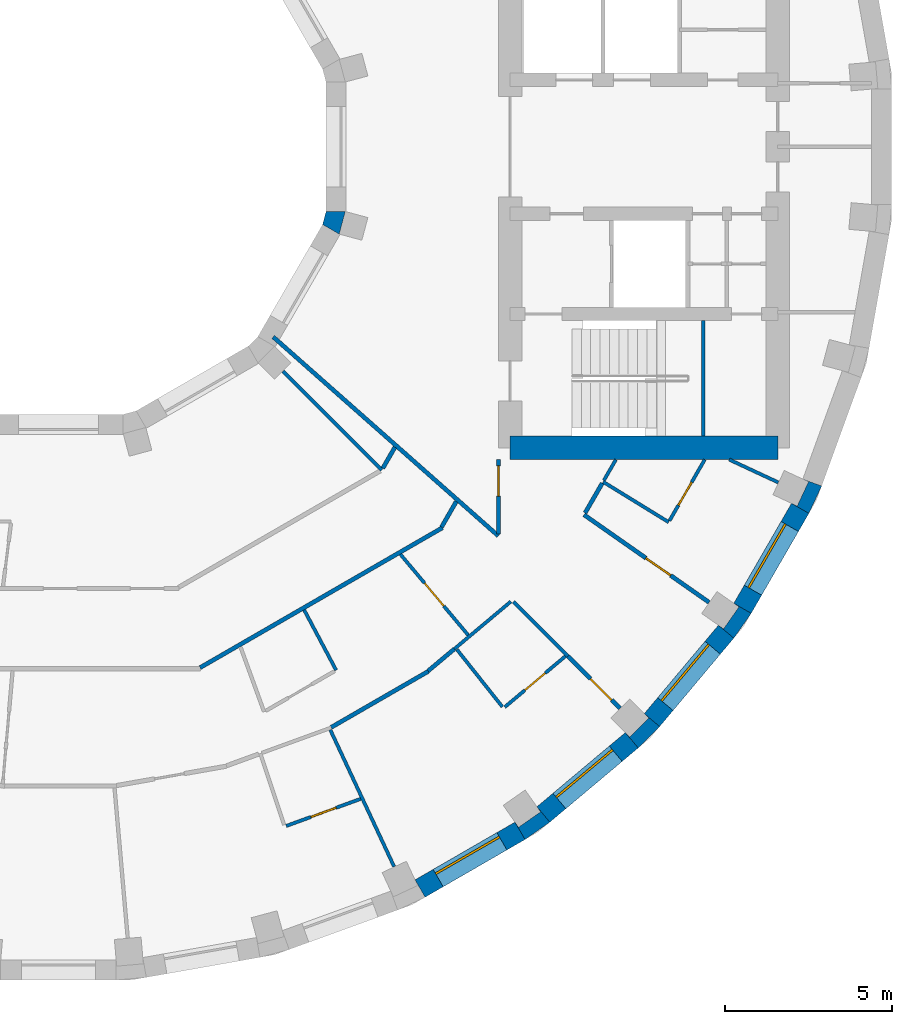
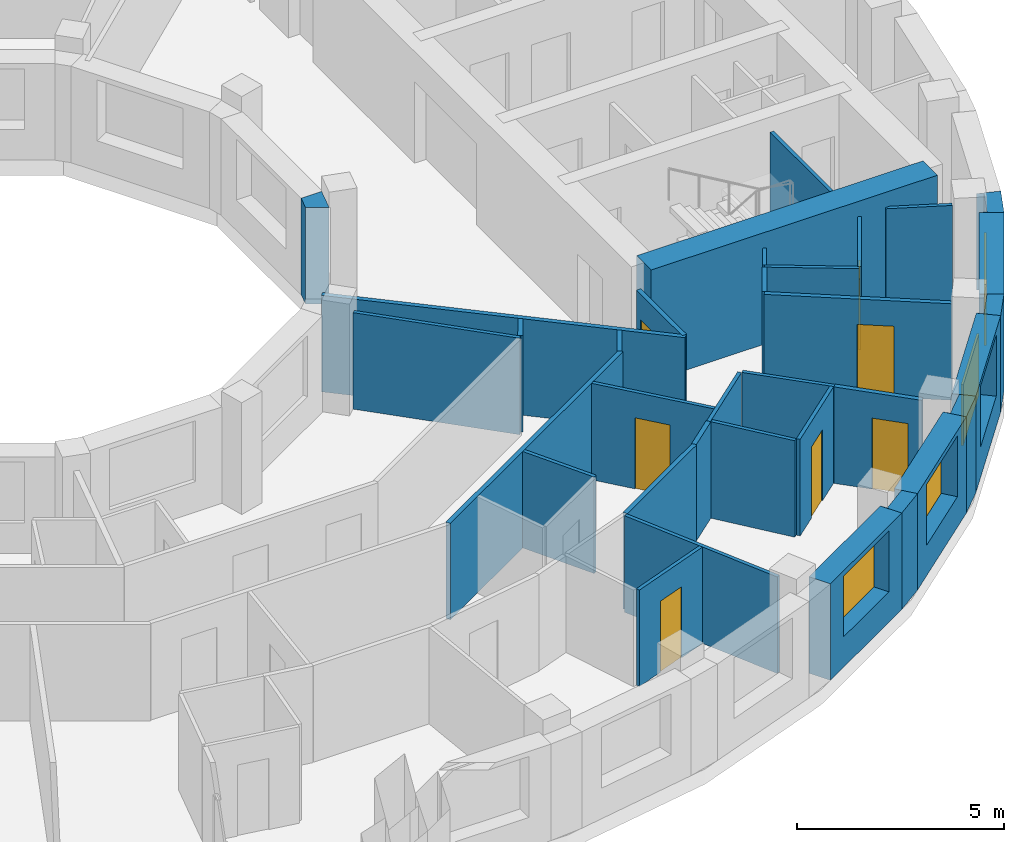
# One storey, part 7 of 13: 34 walls, 7 doors, 4 windows, 11 openings.
"""IFC4 building model written with IfcOpenShell, lengths in metres."""

import ifcopenshell
import ifcopenshell.guid

model = None  # the IFC model being written
_history = None  # IfcOwnerHistory: only IFC2X3 demands one
_inside = {}  # id of a spatial element -> (the spatial element, [elements in it])
_under = {}  # id of a project, library or spatial element -> (it, [spatial elements below it])
_declared = {}  # id of a project -> (the project, [libraries it declares])
_typed = {}  # id of a type object -> (the type object, [elements of that type])
_made_of = {}  # id of a material, layer set ... -> (it, [elements and type objects made of it])


def new_model(schema):
    """Start an empty IFC model of exactly this schema.

    Asked for "IFC4X3", IfcOpenShell would pick the latest addendum, in which some entities
    have other attributes; the version numbers below select the first issue.
    IFC2X3 requires an IfcOwnerHistory on every rooted entity: one is made here for all.
    """
    global model, _history
    if schema == "IFC4X3":
        model = ifcopenshell.file(schema_version=(4, 3, 0, 0))
    else:
        model = ifcopenshell.file(schema=schema)
    _inside.clear()
    _under.clear()
    _declared.clear()
    _typed.clear()
    _made_of.clear()
    _history = None
    if model.schema == "IFC2X3":
        org = make("IfcOrganization", Name="unknown")
        user = make(
            "IfcPersonAndOrganization",
            ThePerson=make("IfcPerson", FamilyName="unknown"),
            TheOrganization=org,
        )
        app = make(
            "IfcApplication",
            ApplicationDeveloper=org,
            Version="unknown",
            ApplicationFullName="unknown",
            ApplicationIdentifier="unknown",
        )
        _history = make(
            "IfcOwnerHistory",
            OwningUser=user,
            OwningApplication=app,
            ChangeAction="ADDED",
            CreationDate=0,
        )
    return model


def make(cls, **values):
    """One entity of the class cls with the attributes given. An attribute that is None is left unset."""
    return model.create_entity(
        cls, **{name: value for name, value in values.items() if value is not None}
    )


def rooted(cls, **values):
    """An entity with a GlobalId (a new one), such as an element, a storey or a relation."""
    return make(cls, GlobalId=ifcopenshell.guid.new(), OwnerHistory=_history, **values)


def si_unit(unit_type, name, prefix=None):
    """IfcSIUnit, for example si_unit("LENGTHUNIT", "METRE", prefix="MILLI")."""
    return make("IfcSIUnit", UnitType=unit_type, Prefix=prefix, Name=name)


def assignment(units):
    """IfcUnitAssignment: the units of a project."""
    return None if units is None else make("IfcUnitAssignment", Units=units)


def point(xyz):
    """IfcCartesianPoint."""
    return None if xyz is None else make("IfcCartesianPoint", Coordinates=xyz)


def direction(xyz):
    """IfcDirection."""
    return None if xyz is None else make("IfcDirection", DirectionRatios=xyz)


def frame(location, z_axis=None, x_axis=None):
    """IfcAxis2Placement3D, a coordinate frame: its origin and axes. An axis left out is left unset."""
    return make(
        "IfcAxis2Placement3D",
        Location=point(location),
        Axis=direction(z_axis),
        RefDirection=direction(x_axis),
    )


def frame_2d(location, x_axis=None):
    """IfcAxis2Placement2D, a coordinate frame in the plane: its origin and x axis."""
    return make(
        "IfcAxis2Placement2D", Location=point(location), RefDirection=direction(x_axis)
    )


def origin():
    """The frame at (0, 0, 0) with its axes left unset."""
    return frame((0.0, 0.0, 0.0))


def place(relative_to, where):
    """IfcLocalPlacement: puts the frame where relative to a parent placement (None: the world)."""
    return make(
        "IfcLocalPlacement", PlacementRelTo=relative_to, RelativePlacement=where
    )


def context(
    kind, dimensions, precision=None, world=None, true_north=None, identifier=None
):
    """IfcGeometricRepresentationContext, for example the 3D "Model" context."""
    return make(
        "IfcGeometricRepresentationContext",
        ContextIdentifier=identifier,
        ContextType=kind,
        CoordinateSpaceDimension=dimensions,
        Precision=precision,
        WorldCoordinateSystem=world,
        TrueNorth=true_north,
    )


def subcontext(parent, identifier, kind, view, scale=None):
    """IfcGeometricRepresentationSubContext, for example "Body" below "Model"."""
    return make(
        "IfcGeometricRepresentationSubContext",
        ContextIdentifier=identifier,
        ContextType=kind,
        ParentContext=parent,
        TargetScale=scale,
        TargetView=view,
    )


def project(units=None, contexts=None):
    """IfcProject with its units and contexts."""
    return rooted(
        "IfcProject",
        Name="project",
        RepresentationContexts=contexts,
        UnitsInContext=assignment(units),
    )


def spatial(cls, under=None, at=None, **own):
    """A site, building, storey or space (cls), placed at a placement, below another one or the project."""
    s = rooted(cls, ObjectPlacement=at, **own)
    if under is not None:
        _under.setdefault(under.id(), (under, []))[1].append(s)
    return s


def polyline(points):
    """IfcPolyline through the points."""
    return make("IfcPolyline", Points=[point(p) for p in points])


def profile(cls, at=None, kind="AREA", **sizes):
    """A parametric profile (cls). Its sizes go by their IFC names, for example OverallWidth=200.0."""
    return make(cls, ProfileType=kind, Position=at, **sizes)


def rectangle(**sizes):
    """IfcRectangleProfileDef."""
    return profile("IfcRectangleProfileDef", **sizes)


def outline(outer, holes=None, kind="AREA"):
    """IfcArbitraryClosedProfileDef: a profile drawn as a closed curve; with holes, ...WithVoids."""
    if holes is None:
        return make("IfcArbitraryClosedProfileDef", ProfileType=kind, OuterCurve=outer)
    return make(
        "IfcArbitraryProfileDefWithVoids",
        ProfileType=kind,
        OuterCurve=outer,
        InnerCurves=holes,
    )


def extrude(swept, where, along, depth):
    """IfcExtrudedAreaSolid: the profile swept, set in the frame where, extruded along a direction by depth."""
    return make(
        "IfcExtrudedAreaSolid",
        SweptArea=swept,
        Position=where,
        ExtrudedDirection=direction(along),
        Depth=depth,
    )


def shape(context_of_items, identifier, shape_type, items):
    """IfcShapeRepresentation: the items that make up one representation, for example the "Body"."""
    return make(
        "IfcShapeRepresentation",
        ContextOfItems=context_of_items,
        RepresentationIdentifier=identifier,
        RepresentationType=shape_type,
        Items=items,
    )


def material(Name=None, Category=None):
    """IfcMaterial."""
    return make("IfcMaterial", Name=Name, Category=Category)


def layer(
    of_material, thickness, ventilated=None, Name=None, Category=None, Priority=None
):
    """IfcMaterialLayer: one layer of a wall or slab, of a material (None: an air gap)."""
    return make(
        "IfcMaterialLayer",
        Material=of_material,
        LayerThickness=thickness,
        IsVentilated=ventilated,
        Name=Name,
        Category=Category,
        Priority=Priority,
    )


def layer_set(layers, Name=None):
    """IfcMaterialLayerSet."""
    return make("IfcMaterialLayerSet", MaterialLayers=layers, LayerSetName=Name)


def made_of(thing, what):
    """Note that an element or type object is made of a material, layer set ...; save() writes the relation."""
    if what is not None:
        _made_of.setdefault(what.id(), (what, []))[1].append(thing)
    return thing


def type_object(cls, material=None, **own):
    """A type object (cls), such as IfcWallType, which elements share."""
    return made_of(rooted(cls, **own), material)


def element(
    cls,
    number,
    at=None,
    inside=None,
    cuts=None,
    type_object=None,
    material=None,
    context=None,
    identifier="Body",
    shape_type=None,
    held_by="IfcProductDefinitionShape",
    body=None,
    shapes=None,
    **own,
):
    """One element of the class cls, such as IfcWall. Its Tag is "e" and its number.

    at: its placement. inside: the storey or other place that contains it. cuts: it is an
    opening in that element (IfcRelVoidsElement). A single representation is given by context,
    identifier, shape_type and body (its items); several are given by shapes. held_by: the class
    of the entity that holds the representations. save() writes the other relations.
    """
    e = rooted(cls, Tag="e%d" % number, ObjectPlacement=at, **own)
    if body is not None:
        shapes = [shape(context, identifier, shape_type, body)]
    if shapes is not None:
        e.Representation = make(held_by, Representations=shapes)
    if inside is not None:
        _inside.setdefault(inside.id(), (inside, []))[1].append(e)
    if cuts is not None:
        rooted(
            "IfcRelVoidsElement", RelatingBuildingElement=cuts, RelatedOpeningElement=e
        )
    if type_object is not None:
        _typed.setdefault(type_object.id(), (type_object, []))[1].append(e)
    return made_of(e, material)


def fill(opening, filler):
    """IfcRelFillsElement: the door or window that sits in an opening."""
    return rooted(
        "IfcRelFillsElement",
        RelatingOpeningElement=opening,
        RelatedBuildingElement=filler,
    )


def aggregate(whole, parts):
    """IfcRelAggregates: a whole, such as a stair, and the parts it consists of."""
    return rooted("IfcRelAggregates", RelatingObject=whole, RelatedObjects=parts)


def save(model, path):
    """Write the relations noted so far, then the file.

    IfcRelAggregates (storeys below a building ...), IfcRelContainedInSpatialStructure (elements
    in a storey), IfcRelDefinesByType, IfcRelAssociatesMaterial and IfcRelDeclares: one each for
    every whole, place, type object, material and project.
    """
    for whole, parts in _under.values():
        aggregate(whole, parts)
    for where, things in _inside.values():
        rooted(
            "IfcRelContainedInSpatialStructure",
            RelatedElements=things,
            RelatingStructure=where,
        )
    for kind, things in _typed.values():
        rooted("IfcRelDefinesByType", RelatedObjects=things, RelatingType=kind)
    for what, things in _made_of.values():
        rooted("IfcRelAssociatesMaterial", RelatedObjects=things, RelatingMaterial=what)
    for by, libraries in _declared.values():
        rooted("IfcRelDeclares", RelatingContext=by, RelatedDefinitions=libraries)
    model.write(path)


model = new_model("IFC4")

# Units and contexts
model_context = context("Model", 3, precision=1e-05, world=origin(), true_north=direction((0.0, 1.0)))
body_context = subcontext(model_context, "Body", "Model", "MODEL_VIEW")
ifc_project = project(units=[si_unit("LENGTHUNIT", "METRE"), si_unit("AREAUNIT", "SQUARE_METRE"), si_unit("VOLUMEUNIT", "CUBIC_METRE"), si_unit("PLANEANGLEUNIT", "RADIAN"), si_unit("MASSUNIT", "GRAM", prefix="KILO")], contexts=[model_context])

# Site, building, storey
site_placement = place(None, origin())
site = spatial("IfcSite", under=ifc_project, at=site_placement, CompositionType="ELEMENT")
building_placement = place(site_placement, origin())
building = spatial("IfcBuilding", under=site, at=building_placement, Name="Saqina Gate Tower", CompositionType="ELEMENT")
storey_placement = place(building_placement, frame((0.0, 0.0, 203.699951171875)))
storey = spatial("IfcBuildingStorey", under=building, at=storey_placement, Name="L58", CompositionType="ELEMENT", Elevation=203.699951171875)

# Walls
ifc_material_1 = material(Name="Brick masonry (buff)", Category="masonry")
wall_type_1 = type_object("IfcWallType", Name="BRICK PIER COPING BUFF", PredefinedType="SOLIDWALL", material=ifc_material_1)
wall_1_placement = place(storey_placement, origin())
element("IfcWall", 1, at=wall_1_placement, inside=storey, type_object=wall_type_1, Name="Pier cap L58 column 31", PredefinedType="SOLIDWALL", context=body_context, shape_type="SweptSolid", body=[
    extrude(outline(polyline([(13.9462890625, -20.705810546875), (14.687255859375, -20.18701171875), (14.301513671875, -19.727294921875), (14.408935546875, -19.880859375), (13.753662109375, -20.339599609375), (13.646240234375, -20.186279296875), (13.9462890625, -20.705810546875)])), origin(), (0.0, 0.0, 1.0), 2.85009765625),
])
wall_2_placement = place(storey_placement, origin())
element("IfcWall", 2, at=wall_2_placement, inside=storey, type_object=wall_type_1, Name="Pier cap L58 column 32", PredefinedType="SOLIDWALL", context=body_context, shape_type="SweptSolid", body=[
    extrude(outline(polyline([(17.969482421875, -17.329833984375), (17.510009765625, -16.944091796875), (17.642333984375, -17.07666015625), (17.07666015625, -17.642333984375), (16.944091796875, -17.510009765625), (17.329833984375, -17.969482421875), (17.969482421875, -17.329833984375)])), origin(), (0.0, 0.0, 1.0), 2.85009765625),
])
wall_3_placement = place(storey_placement, origin())
element("IfcWall", 3, at=wall_3_placement, inside=storey, type_object=wall_type_1, Name="Pier cap L58 column 33", PredefinedType="SOLIDWALL", context=body_context, shape_type="SweptSolid", body=[
    extrude(outline(polyline([(20.18701171875, -14.687255859375), (20.705810546875, -13.9462890625), (20.186279296875, -13.646240234375), (20.339599609375, -13.753662109375), (19.880859375, -14.408935546875), (19.727294921875, -14.301513671875), (20.18701171875, -14.687255859375)])), origin(), (0.0, 0.0, 1.0), 2.85009765625),
])
wall_4_placement = place(storey_placement, origin())
element("IfcWall", 4, at=wall_4_placement, inside=storey, type_object=wall_type_1, Name="Pier cap L58 column 34", PredefinedType="SOLIDWALL", context=body_context, shape_type="SweptSolid", body=[
    extrude(outline(polyline([(22.81298828125, -10.138916015625), (22.249267578125, -9.93359375), (22.4189453125, -10.0126953125), (22.080810546875, -10.73779296875), (21.9111328125, -10.65869140625), (22.4306640625, -10.958740234375), (22.81298828125, -10.138916015625)])), origin(), (0.0, 0.0, 1.0), 2.85009765625),
])

# Wall, opening, window
ifc_material_2 = material(Name="Brick masonry (buff)", Category="masonry")
ifc_layer_1 = layer(ifc_material_2, 0.60009765625)
ifc_layer_set_1 = layer_set([ifc_layer_1], Name="FW-BRICK-BUFF")
wall_type_2 = type_object("IfcWallType", Name="FW-BRICK-BUFF", PredefinedType="SOLIDWALL", material=ifc_layer_set_1)
wall_5_placement = place(storey_placement, frame((10.80859375, -22.1708984375, 0.0), z_axis=(0.0, 0.0, 1.0), x_axis=(0.86602648383, 0.499998129301, 0.0)))
wall_5 = element("IfcWall", 5, at=wall_5_placement, inside=storey, type_object=wall_type_2, Name="Facade wall L58 facet 30", PredefinedType="SOLIDWALL", context=body_context, shape_type="SweptSolid", body=[
    extrude(rectangle(XDim=3.44970703125, YDim=0.60009765625, at=frame_2d((1.724853515625, 0.0))), origin(), (0.0, 0.0, 1.0), 2.85009765625),
])
opening_1_placement = place(wall_5_placement, frame((0.625, 0.0, 0.89990234375)))
opening_1 = element("IfcOpeningElement", 6, at=opening_1_placement, cuts=wall_5, Name="Opening G17-W19", PredefinedType="OPENING", context=body_context, shape_type="SweptSolid", body=[
    extrude(rectangle(XDim=2.199951171875, YDim=1.800048828125, at=frame_2d((1.10009765625, 0.89990234375))), frame((0.0, 0.31201171875, 0.0), z_axis=(0.0, -1.0, 0.0), x_axis=(1.0, 0.0, 0.0)), (0.0, 0.0, 1.0), 0.6240234375),
])
ifc_material_3 = material(Name="Aluminium glazing", Category="aluminium")
window_type = type_object("IfcWindowType", Name="WN-C", PartitioningType="SINGLE_PANEL", PredefinedType="WINDOW", material=ifc_material_3)
window_1_placement = place(opening_1_placement, origin())
window_1 = element("IfcWindow", 7, at=window_1_placement, inside=storey, type_object=window_type, Name="Window L58 facet 30", OverallHeight=1.800048828125, OverallWidth=2.199951171875, PartitioningType="SINGLE_PANEL", PredefinedType="WINDOW", context=body_context, shape_type="SweptSolid", body=[
    extrude(rectangle(XDim=2.199951171875, YDim=1.800048828125, at=frame_2d((1.10009765625, 0.89990234375))), frame((0.0, 0.179931640625, 0.0), z_axis=(0.0, -1.0, 0.0), x_axis=(1.0, 0.0, 0.0)), (0.0, 0.0, 1.0), 0.06005859375),
])
fill(opening_1, window_1)

wall_6_placement = place(storey_placement, frame((14.494384765625, -19.95703125, 0.0), z_axis=(0.0, 0.0, 1.0), x_axis=(0.766058884809, 0.642770398358, 0.0)))
wall_6 = element("IfcWall", 8, at=wall_6_placement, inside=storey, type_object=wall_type_2, Name="Facade wall L58 facet 31", PredefinedType="SOLIDWALL", context=body_context, shape_type="SweptSolid", body=[
    extrude(rectangle(XDim=3.449462890625, YDim=0.60009765625, at=frame_2d((1.724609375, 0.0))), origin(), (0.0, 0.0, 1.0), 2.85009765625),
])
opening_2_placement = place(wall_6_placement, frame((0.625, 0.0, 0.89990234375)))
opening_2 = element("IfcOpeningElement", 9, at=opening_2_placement, cuts=wall_6, Name="Opening G17-W20", PredefinedType="OPENING", context=body_context, shape_type="SweptSolid", body=[
    extrude(rectangle(XDim=2.199951171875, YDim=1.800048828125, at=frame_2d((1.10009765625, 0.89990234375))), frame((0.0, 0.31201171875, 0.0), z_axis=(0.0, -1.0, 0.0), x_axis=(1.0, 0.0, 0.0)), (0.0, 0.0, 1.0), 0.6240234375),
])
window_2_placement = place(opening_2_placement, origin())
window_2 = element("IfcWindow", 10, at=window_2_placement, inside=storey, type_object=window_type, Name="Window L58 facet 31", OverallHeight=1.800048828125, OverallWidth=2.199951171875, PartitioningType="SINGLE_PANEL", PredefinedType="WINDOW", context=body_context, shape_type="SweptSolid", body=[
    extrude(rectangle(XDim=2.199951171875, YDim=1.800048828125, at=frame_2d((1.10009765625, 0.89990234375))), frame((0.0, 0.179931640625, 0.0), z_axis=(0.0, -1.0, 0.0), x_axis=(1.0, 0.0, 0.0)), (0.0, 0.0, 1.0), 0.06005859375),
])
fill(opening_2, window_2)

wall_7_placement = place(storey_placement, frame((17.73974609375, -17.136962890625, 0.0), z_axis=(0.0, 0.0, 1.0), x_axis=(0.642770398358, 0.766058884809, 0.0)))
wall_7 = element("IfcWall", 11, at=wall_7_placement, inside=storey, type_object=wall_type_2, Name="Facade wall L58 facet 32", PredefinedType="SOLIDWALL", context=body_context, shape_type="SweptSolid", body=[
    extrude(rectangle(XDim=3.449462890625, YDim=0.60009765625, at=frame_2d((1.724609375, 0.0))), origin(), (0.0, 0.0, 1.0), 2.85009765625),
])
opening_3_placement = place(wall_7_placement, frame((0.625, 0.0, 0.89990234375)))
opening_3 = element("IfcOpeningElement", 12, at=opening_3_placement, cuts=wall_7, Name="Opening G17-W21", PredefinedType="OPENING", context=body_context, shape_type="SweptSolid", body=[
    extrude(rectangle(XDim=2.199951171875, YDim=1.800048828125, at=frame_2d((1.10009765625, 0.89990234375))), frame((0.0, 0.31201171875, 0.0), z_axis=(0.0, -1.0, 0.0), x_axis=(1.0, 0.0, 0.0)), (0.0, 0.0, 1.0), 0.6240234375),
])
window_3_placement = place(opening_3_placement, origin())
window_3 = element("IfcWindow", 13, at=window_3_placement, inside=storey, type_object=window_type, Name="Window L58 facet 32", OverallHeight=1.800048828125, OverallWidth=2.199951171875, PartitioningType="SINGLE_PANEL", PredefinedType="WINDOW", context=body_context, shape_type="SweptSolid", body=[
    extrude(rectangle(XDim=2.199951171875, YDim=1.800048828125, at=frame_2d((1.10009765625, 0.89990234375))), frame((0.0, 0.179931640625, 0.0), z_axis=(0.0, -1.0, 0.0), x_axis=(1.0, 0.0, 0.0)), (0.0, 0.0, 1.0), 0.06005859375),
])
fill(opening_3, window_3)

wall_8_placement = place(storey_placement, frame((20.446044921875, -13.796142578125, 0.0), z_axis=(0.0, 0.0, 1.0), x_axis=(0.499998129301, 0.86602648383, 0.0)))
wall_8 = element("IfcWall", 14, at=wall_8_placement, inside=storey, type_object=wall_type_2, Name="Facade wall L58 facet 33", PredefinedType="SOLIDWALL", context=body_context, shape_type="SweptSolid", body=[
    extrude(rectangle(XDim=3.44970703125, YDim=0.60009765625, at=frame_2d((1.724853515625, 0.0))), origin(), (0.0, 0.0, 1.0), 2.85009765625),
])
opening_4_placement = place(wall_8_placement, frame((0.625, 0.0, 0.89990234375)))
opening_4 = element("IfcOpeningElement", 15, at=opening_4_placement, cuts=wall_8, Name="Opening G17-W22", PredefinedType="OPENING", context=body_context, shape_type="SweptSolid", body=[
    extrude(rectangle(XDim=2.199951171875, YDim=1.800048828125, at=frame_2d((1.10009765625, 0.89990234375))), frame((0.0, 0.31201171875, 0.0), z_axis=(0.0, -1.0, 0.0), x_axis=(1.0, 0.0, 0.0)), (0.0, 0.0, 1.0), 0.6240234375),
])
window_4_placement = place(opening_4_placement, origin())
window_4 = element("IfcWindow", 16, at=window_4_placement, inside=storey, type_object=window_type, Name="Window L58 facet 33", OverallHeight=1.800048828125, OverallWidth=2.199951171875, PartitioningType="SINGLE_PANEL", PredefinedType="WINDOW", context=body_context, shape_type="SweptSolid", body=[
    extrude(rectangle(XDim=2.199951171875, YDim=1.800048828125, at=frame_2d((1.10009765625, 0.89990234375))), frame((0.0, 0.179931640625, 0.0), z_axis=(0.0, -1.0, 0.0), x_axis=(1.0, 0.0, 0.0)), (0.0, 0.0, 1.0), 0.06005859375),
])
fill(opening_4, window_4)

# Walls
ifc_material_4 = material(Name="Gypsum board on steel studs, 100 mm", Category="steel")
ifc_layer_2 = layer(ifc_material_4, 0.10009765625)
ifc_layer_set_2 = layer_set([ifc_layer_2], Name="PARTITION 100")
wall_type_3 = type_object("IfcWallType", Name="PARTITION 100", PredefinedType="PARTITIONING", material=ifc_layer_set_2)
wall_9_placement = place(storey_placement, frame((8.125244140625, -17.4267578125, 0.0), z_axis=(0.0, 0.0, 1.0), x_axis=(0.422852881861, -0.906198344901, 0.0)))
element("IfcWall", 17, at=wall_9_placement, inside=storey, type_object=wall_type_3, Name="PARTITION PW3-07", PredefinedType="PARTITIONING", context=body_context, shape_type="SweptSolid", body=[
    extrude(rectangle(XDim=4.51220703125, YDim=0.10009765625, at=frame_2d((2.256103515625, 0.0))), origin(), (0.0, 0.0, 1.0), 2.85009765625),
])
wall_10_placement = place(storey_placement, frame((7.344970703125, -13.845458984375, 0.0), z_axis=(0.0, 0.0, 1.0), x_axis=(0.46899451783, -0.883201076905, 0.0)))
element("IfcWall", 18, at=wall_10_placement, inside=storey, type_object=wall_type_3, Name="PARTITION PW3-09", PredefinedType="PARTITIONING", context=body_context, shape_type="SweptSolid", body=[
    extrude(rectangle(XDim=2.036376953125, YDim=0.10009765625, at=frame_2d((1.01806640625, 0.0))), origin(), (0.0, 0.0, 1.0), 2.85009765625),
])
wall_11_placement = place(storey_placement, frame((11.91162109375, -15.028076171875, 0.0), z_axis=(0.0, 0.0, 1.0), x_axis=(0.621158069359, -0.783685302191, 0.0)))
element("IfcWall", 19, at=wall_11_placement, inside=storey, type_object=wall_type_3, Name="PARTITION PW3-13", PredefinedType="PARTITIONING", context=body_context, shape_type="SweptSolid", body=[
    extrude(rectangle(XDim=2.18408203125, YDim=0.10009765625, at=frame_2d((1.092041015625, 0.0))), origin(), (0.0, 0.0, 1.0), 2.85009765625),
])

# Wall, opening, door
wall_12_placement = place(storey_placement, frame((10.222900390625, -12.183837890625, 0.0), z_axis=(0.0, 0.0, 1.0), x_axis=(0.642811941649, -0.766024025519, 0.0)))
wall_12 = element("IfcWall", 20, at=wall_12_placement, inside=storey, type_object=wall_type_3, Name="PARTITION PW3-16", PredefinedType="PARTITIONING", context=body_context, shape_type="SweptSolid", body=[
    extrude(rectangle(XDim=3.1484375, YDim=0.10009765625, at=frame_2d((1.57421875, 0.0))), origin(), (0.0, 0.0, 1.0), 2.85009765625),
])
opening_5_placement = place(wall_12_placement, frame((1.117919921875, 0.0, 0.0)))
opening_5 = element("IfcOpeningElement", 21, at=opening_5_placement, cuts=wall_12, Name="Opening G17-D42", PredefinedType="OPENING", context=body_context, shape_type="SweptSolid", body=[
    extrude(rectangle(XDim=0.89990234375, YDim=2.10009765625, at=frame_2d((0.449951171875, 1.050048828125))), frame((0.0, 0.06201171875, 0.0), z_axis=(0.0, -1.0, 0.0), x_axis=(1.0, 0.0, 0.0)), (0.0, 0.0, 1.0), 0.1240234375),
])
ifc_material_5 = material(Name="Timber door leaf, 900 mm", Category="wood")
door_type_1 = type_object("IfcDoorType", Name="DOOR 900 TIMBER", OperationType="SINGLE_SWING_LEFT", PredefinedType="DOOR", material=ifc_material_5)
door_1_placement = place(opening_5_placement, frame((0.89990234375, 0.0, 0.0), z_axis=(0.0, 0.0, 1.0), x_axis=(-1.0, 0.0, 0.0)))
door_1 = element("IfcDoor", 22, at=door_1_placement, inside=storey, type_object=door_type_1, Name="DOOR G17-D42", OperationType="SINGLE_SWING_RIGHT", OverallHeight=2.10009765625, OverallWidth=0.89990234375, PredefinedType="DOOR", context=body_context, shape_type="SweptSolid", body=[
    extrude(rectangle(XDim=0.89990234375, YDim=2.10009765625, at=frame_2d((0.449951171875, 1.050048828125))), frame((0.0, 0.02490234375, 0.0), z_axis=(0.0, -1.0, 0.0), x_axis=(1.0, 0.0, 0.0)), (0.0, 0.0, 1.0), 0.050048828125),
])
fill(opening_5, door_1)

# Walls
wall_13_placement = place(storey_placement, frame((13.596923828125, -13.597900390625, 0.0), z_axis=(0.0, 0.0, 1.0), x_axis=(0.707265532937, -0.706947993787, 0.0)))
element("IfcWall", 23, at=wall_13_placement, inside=storey, type_object=wall_type_3, Name="PARTITION PW3-21", PredefinedType="PARTITIONING", context=body_context, shape_type="SweptSolid", body=[
    extrude(rectangle(XDim=2.306640625, YDim=0.10009765625, at=frame_2d((1.1533203125, 0.0))), origin(), (0.0, 0.0, 1.0), 2.85009765625),
])
wall_14_placement = place(storey_placement, frame((6.7119140625, -6.7119140625, 0.0), z_axis=(0.0, 0.0, 1.0), x_axis=(0.707106781187, -0.707106781187, 0.0)))
element("IfcWall", 24, at=wall_14_placement, inside=storey, type_object=wall_type_3, Name="PARTITION PW3-22", PredefinedType="PARTITIONING", context=body_context, shape_type="SweptSolid", body=[
    extrude(rectangle(XDim=4.173583984375, YDim=0.10009765625, at=frame_2d((2.0869140625, 0.0))), origin(), (0.0, 0.0, 1.0), 2.85009765625),
])
wall_15_placement = place(storey_placement, frame((16.279052734375, -10.013916015625, 0.0), z_axis=(0.0, 0.0, 1.0), x_axis=(0.851672886374, -0.524073749214, 0.0)))
element("IfcWall", 25, at=wall_15_placement, inside=storey, type_object=wall_type_3, Name="PARTITION PW3-27", PredefinedType="PARTITIONING", context=body_context, shape_type="SweptSolid", body=[
    extrude(rectangle(XDim=2.30126953125, YDim=0.10009765625, at=frame_2d((1.150634765625, 0.0))), origin(), (0.0, 0.0, 1.0), 2.85009765625),
])
wall_16_placement = place(storey_placement, frame((20.051025390625, -9.35009765625, 0.0), z_axis=(0.0, 0.0, 1.0), x_axis=(0.906329754533, -0.422571149096, 0.0)))
element("IfcWall", 26, at=wall_16_placement, inside=storey, type_object=wall_type_3, Name="PARTITION PW3-32", PredefinedType="PARTITIONING", context=body_context, shape_type="SweptSolid", body=[
    extrude(rectangle(XDim=1.615966796875, YDim=0.10009765625, at=frame_2d((0.80810546875, 0.0))), origin(), (0.0, 0.0, 1.0), 2.85009765625),
])

# Wall, opening, door
wall_17_placement = place(storey_placement, frame((6.806884765625, -20.301025390625, 0.0), z_axis=(0.0, 0.0, 1.0), x_axis=(0.939763340539, 0.341825779863, 0.0)))
wall_17 = element("IfcWall", 27, at=wall_17_placement, inside=storey, type_object=wall_type_3, Name="PARTITION PW3-39", PredefinedType="PARTITIONING", context=body_context, shape_type="SweptSolid", body=[
    extrude(rectangle(XDim=2.369873046875, YDim=0.10009765625, at=frame_2d((1.18505859375, 0.0))), origin(), (0.0, 0.0, 1.0), 2.85009765625),
])
opening_6_placement = place(wall_17_placement, frame((0.785400390625, 0.0, 0.0)))
opening_6 = element("IfcOpeningElement", 28, at=opening_6_placement, cuts=wall_17, Name="Opening G17-D40", PredefinedType="OPENING", context=body_context, shape_type="SweptSolid", body=[
    extrude(rectangle(XDim=0.800048828125, YDim=2.10009765625, at=frame_2d((0.39990234375, 1.050048828125))), frame((0.0, 0.06201171875, 0.0), z_axis=(0.0, -1.0, 0.0), x_axis=(1.0, 0.0, 0.0)), (0.0, 0.0, 1.0), 0.1240234375),
])
ifc_material_6 = material(Name="Timber door leaf, 800 mm", Category="wood")
door_type_2 = type_object("IfcDoorType", Name="DOOR 800 TIMBER", OperationType="SINGLE_SWING_LEFT", PredefinedType="DOOR", material=ifc_material_6)
door_2_placement = place(opening_6_placement, frame((0.800048828125, 0.0, 0.0), z_axis=(0.0, 0.0, 1.0), x_axis=(-1.0, 0.0, 0.0)))
door_2 = element("IfcDoor", 29, at=door_2_placement, inside=storey, type_object=door_type_2, Name="DOOR G17-D40", OperationType="SINGLE_SWING_LEFT", OverallHeight=2.10009765625, OverallWidth=0.800048828125, PredefinedType="DOOR", context=body_context, shape_type="SweptSolid", body=[
    extrude(rectangle(XDim=0.800048828125, YDim=2.10009765625, at=frame_2d((0.39990234375, 1.050048828125))), frame((0.0, 0.02490234375, 0.0), z_axis=(0.0, -1.0, 0.0), x_axis=(1.0, 0.0, 0.0)), (0.0, 0.0, 1.0), 0.050048828125),
])
fill(opening_6, door_2)

wall_18_placement = place(storey_placement, frame((13.33935546875, -16.748779296875, 0.0), z_axis=(0.0, 0.0, 1.0), x_axis=(0.76592805341, 0.642926292042, 0.0)))
wall_18 = element("IfcWall", 30, at=wall_18_placement, inside=storey, type_object=wall_type_3, Name="PARTITION PW3-49", PredefinedType="PARTITIONING", context=body_context, shape_type="SweptSolid", body=[
    extrude(rectangle(XDim=2.369873046875, YDim=0.10009765625, at=frame_2d((1.18505859375, 0.0))), origin(), (0.0, 0.0, 1.0), 2.85009765625),
])
opening_7_placement = place(wall_18_placement, frame((0.785888671875, 0.0, 0.0)))
opening_7 = element("IfcOpeningElement", 31, at=opening_7_placement, cuts=wall_18, Name="Opening G17-D43", PredefinedType="OPENING", context=body_context, shape_type="SweptSolid", body=[
    extrude(rectangle(XDim=0.800048828125, YDim=2.10009765625, at=frame_2d((0.39990234375, 1.050048828125))), frame((0.0, 0.06201171875, 0.0), z_axis=(0.0, -1.0, 0.0), x_axis=(1.0, 0.0, 0.0)), (0.0, 0.0, 1.0), 0.1240234375),
])
door_3_placement = place(opening_7_placement, frame((0.800048828125, 0.0, 0.0), z_axis=(0.0, 0.0, 1.0), x_axis=(-1.0, 0.0, 0.0)))
door_3 = element("IfcDoor", 32, at=door_3_placement, inside=storey, type_object=door_type_2, Name="DOOR G17-D43", OperationType="SINGLE_SWING_LEFT", OverallHeight=2.10009765625, OverallWidth=0.800048828125, PredefinedType="DOOR", context=body_context, shape_type="SweptSolid", body=[
    extrude(rectangle(XDim=0.800048828125, YDim=2.10009765625, at=frame_2d((0.39990234375, 1.050048828125))), frame((0.0, 0.02490234375, 0.0), z_axis=(0.0, -1.0, 0.0), x_axis=(1.0, 0.0, 0.0)), (0.0, 0.0, 1.0), 0.050048828125),
])
fill(opening_7, door_3)

# Wall
wall_19_placement = place(storey_placement, frame((11.833740234375, -15.01025390625, 0.0), z_axis=(0.0, 0.0, 1.0), x_axis=(0.766038513467, 0.642794676305, 0.0)))
element("IfcWall", 33, at=wall_19_placement, inside=storey, type_object=wall_type_3, Name="PARTITION PW3-50", PredefinedType="PARTITIONING", context=body_context, shape_type="SweptSolid", body=[
    extrude(rectangle(XDim=2.204833984375, YDim=0.10009765625, at=frame_2d((1.1025390625, 0.0))), origin(), (0.0, 0.0, 1.0), 2.85009765625),
])

# Wall, opening, door
wall_20_placement = place(storey_placement, frame((18.263916015625, -11.1767578125, 0.0), z_axis=(0.0, 0.0, 1.0), x_axis=(0.499849385254, 0.866112343787, 0.0)))
wall_20 = element("IfcWall", 34, at=wall_20_placement, inside=storey, type_object=wall_type_3, Name="PARTITION PW3-57", PredefinedType="PARTITIONING", context=body_context, shape_type="SweptSolid", body=[
    extrude(rectangle(XDim=2.109130859375, YDim=0.10009765625, at=frame_2d((1.0546875, 0.0))), origin(), (0.0, 0.0, 1.0), 2.85009765625),
])
opening_8_placement = place(wall_20_placement, frame((0.529541015625, 0.0, 0.0)))
opening_8 = element("IfcOpeningElement", 35, at=opening_8_placement, cuts=wall_20, Name="Opening G17-D47", PredefinedType="OPENING", context=body_context, shape_type="SweptSolid", body=[
    extrude(rectangle(XDim=0.800048828125, YDim=2.10009765625, at=frame_2d((0.39990234375, 1.050048828125))), frame((0.0, 0.06201171875, 0.0), z_axis=(0.0, -1.0, 0.0), x_axis=(1.0, 0.0, 0.0)), (0.0, 0.0, 1.0), 0.1240234375),
])
door_4_placement = place(opening_8_placement, frame((0.800048828125, 0.0, 0.0), z_axis=(0.0, 0.0, 1.0), x_axis=(-1.0, 0.0, 0.0)))
door_4 = element("IfcDoor", 36, at=door_4_placement, inside=storey, type_object=door_type_2, Name="DOOR G17-D47", OperationType="SINGLE_SWING_RIGHT", OverallHeight=2.10009765625, OverallWidth=0.800048828125, PredefinedType="DOOR", context=body_context, shape_type="SweptSolid", body=[
    extrude(rectangle(XDim=0.800048828125, YDim=2.10009765625, at=frame_2d((0.39990234375, 1.050048828125))), frame((0.0, 0.02490234375, 0.0), z_axis=(0.0, -1.0, 0.0), x_axis=(1.0, 0.0, 0.0)), (0.0, 0.0, 1.0), 0.050048828125),
])
fill(opening_8, door_4)

# Wall
wall_21_placement = place(storey_placement, frame((16.303955078125, -9.970703125, 0.0), z_axis=(0.0, 0.0, 1.0), x_axis=(0.499840435016, 0.866117509073, 0.0)))
element("IfcWall", 37, at=wall_21_placement, inside=storey, type_object=wall_type_3, Name="PARTITION PW3-58", PredefinedType="PARTITIONING", context=body_context, shape_type="SweptSolid", body=[
    extrude(rectangle(XDim=0.716552734375, YDim=0.10009765625, at=frame_2d((0.3583984375, 0.0))), origin(), (0.0, 0.0, 1.0), 2.85009765625),
])

# Wall, opening, door
ifc_material_7 = material(Name="Gypsum board on steel studs, 125 mm, fire rated", Category="steel")
ifc_layer_3 = layer(ifc_material_7, 0.125)
ifc_layer_set_3 = layer_set([ifc_layer_3], Name="PARTITION EI 30 125")
wall_type_4 = type_object("IfcWallType", Name="PARTITION EI 30 125", PredefinedType="PARTITIONING", material=ifc_layer_set_3)
wall_22_placement = place(storey_placement, frame((15.228271484375, -15.228515625, 0.0), z_axis=(0.0, 0.0, 1.0), x_axis=(0.707328305851, -0.7068851871, 0.0)))
wall_22 = element("IfcWall", 38, at=wall_22_placement, inside=storey, type_object=wall_type_4, Name="PARTITION PW1-07", PredefinedType="PARTITIONING", context=body_context, shape_type="SweptSolid", body=[
    extrude(rectangle(XDim=2.203857421875, YDim=0.125, at=frame_2d((1.10205078125, 0.0))), origin(), (0.0, 0.0, 1.0), 2.85009765625),
])
opening_9_placement = place(wall_22_placement, frame((0.954833984375, 0.0, 0.0)))
opening_9 = element("IfcOpeningElement", 39, at=opening_9_placement, cuts=wall_22, Name="Opening G17-D44", PredefinedType="OPENING", context=body_context, shape_type="SweptSolid", body=[
    extrude(rectangle(XDim=0.89990234375, YDim=2.10009765625, at=frame_2d((0.449951171875, 1.050048828125))), frame((0.0, 0.074462890625, 0.0), z_axis=(0.0, -1.0, 0.0), x_axis=(1.0, 0.0, 0.0)), (0.0, 0.0, 1.0), 0.14892578125),
])
ifc_material_8 = material(Name="Fire door leaf EI 30, 900 mm")
door_type_3 = type_object("IfcDoorType", Name="DOOR 900 EI 30", OperationType="SINGLE_SWING_LEFT", PredefinedType="DOOR", material=ifc_material_8)
door_5_placement = place(opening_9_placement, origin())
door_5 = element("IfcDoor", 40, at=door_5_placement, inside=storey, type_object=door_type_3, Name="DOOR G17-D44", OperationType="SINGLE_SWING_RIGHT", OverallHeight=2.10009765625, OverallWidth=0.89990234375, PredefinedType="DOOR", context=body_context, shape_type="SweptSolid", body=[
    extrude(rectangle(XDim=0.89990234375, YDim=2.10009765625, at=frame_2d((0.449951171875, 1.050048828125))), frame((0.0, 0.02490234375, 0.0), z_axis=(0.0, -1.0, 0.0), x_axis=(1.0, 0.0, 0.0)), (0.0, 0.0, 1.0), 0.050048828125),
])
fill(opening_9, door_5)

# Wall
wall_23_placement = place(storey_placement, frame((6.417724609375, -5.682373046875, 0.0), z_axis=(0.0, 0.0, 1.0), x_axis=(0.749233096006, -0.662306400278, 0.0)))
element("IfcWall", 41, at=wall_23_placement, inside=storey, type_object=wall_type_4, Name="PARTITION PW1-09", PredefinedType="PARTITIONING", context=body_context, shape_type="SweptSolid", body=[
    extrude(rectangle(XDim=8.98193359375, YDim=0.125, at=frame_2d((4.490966796875, 0.0))), origin(), (0.0, 0.0, 1.0), 2.85009765625),
])

# Wall, opening, door
wall_24_placement = place(storey_placement, frame((15.710205078125, -10.999755859375, 0.0), z_axis=(0.0, 0.0, 1.0), x_axis=(0.819118758933, -0.57362396983, 0.0)))
wall_24 = element("IfcWall", 42, at=wall_24_placement, inside=storey, type_object=wall_type_4, Name="PARTITION PW1-14", PredefinedType="PARTITIONING", context=body_context, shape_type="SweptSolid", body=[
    extrude(rectangle(XDim=4.561767578125, YDim=0.125, at=frame_2d((2.28076171875, 0.0))), origin(), (0.0, 0.0, 1.0), 2.85009765625),
])
opening_10_placement = place(wall_24_placement, frame((2.25927734375, 0.0, 0.0)))
opening_10 = element("IfcOpeningElement", 43, at=opening_10_placement, cuts=wall_24, Name="Opening G17-D46", PredefinedType="OPENING", context=body_context, shape_type="SweptSolid", body=[
    extrude(rectangle(XDim=0.89990234375, YDim=2.10009765625, at=frame_2d((0.449951171875, 1.050048828125))), frame((0.0, 0.074462890625, 0.0), z_axis=(0.0, -1.0, 0.0), x_axis=(1.0, 0.0, 0.0)), (0.0, 0.0, 1.0), 0.14892578125),
])
door_6_placement = place(opening_10_placement, frame((0.89990234375, 0.0, 0.0), z_axis=(0.0, 0.0, 1.0), x_axis=(-1.0, 0.0, 0.0)))
door_6 = element("IfcDoor", 44, at=door_6_placement, inside=storey, type_object=door_type_3, Name="DOOR G17-D46", OperationType="SINGLE_SWING_LEFT", OverallHeight=2.10009765625, OverallWidth=0.89990234375, PredefinedType="DOOR", context=body_context, shape_type="SweptSolid", body=[
    extrude(rectangle(XDim=0.89990234375, YDim=2.10009765625, at=frame_2d((0.449951171875, 1.050048828125))), frame((0.0, 0.02490234375, 0.0), z_axis=(0.0, -1.0, 0.0), x_axis=(1.0, 0.0, 0.0)), (0.0, 0.0, 1.0), 0.050048828125),
])
fill(opening_10, door_6)

# Walls
wall_25_placement = place(storey_placement, frame((8.150390625, -17.354736328125, 0.0), z_axis=(0.0, 0.0, 1.0), x_axis=(0.86608012654, 0.499905205426, 0.0)))
element("IfcWall", 45, at=wall_25_placement, inside=storey, type_object=wall_type_4, Name="PARTITION PW1-28", PredefinedType="PARTITIONING", context=body_context, shape_type="SweptSolid", body=[
    extrude(rectangle(XDim=3.353759765625, YDim=0.125, at=frame_2d((1.6767578125, 0.0))), origin(), (0.0, 0.0, 1.0), 2.85009765625),
])
wall_26_placement = place(storey_placement, frame((4.234130859375, -15.56884765625, 0.0), z_axis=(0.0, 0.0, 1.0), x_axis=(0.866024799292, 0.50000104701, 0.0)))
element("IfcWall", 46, at=wall_26_placement, inside=storey, type_object=wall_type_4, Name="PARTITION PW1-29", PredefinedType="PARTITIONING", context=body_context, shape_type="SweptSolid", body=[
    extrude(rectangle(XDim=8.36962890625, YDim=0.125, at=frame_2d((4.184814453125, 0.0))), origin(), (0.0, 0.0, 1.0), 2.85009765625),
])
wall_27_placement = place(storey_placement, frame((11.0478515625, -15.669921875, 0.0), z_axis=(0.0, 0.0, 1.0), x_axis=(0.765934498954, 0.642918613288, 0.0)))
element("IfcWall", 47, at=wall_27_placement, inside=storey, type_object=wall_type_4, Name="PARTITION PW1-34", PredefinedType="PARTITIONING", context=body_context, shape_type="SweptSolid", body=[
    extrude(rectangle(XDim=1.026123046875, YDim=0.125, at=frame_2d((0.51318359375, 0.0))), origin(), (0.0, 0.0, 1.0), 2.85009765625),
])
wall_28_placement = place(storey_placement, frame((15.7421875, -10.944091796875, 0.0), z_axis=(0.0, 0.0, 1.0), x_axis=(0.499832553123, 0.866122057702, 0.0)))
element("IfcWall", 48, at=wall_28_placement, inside=storey, type_object=wall_type_4, Name="PARTITION PW1-40", PredefinedType="PARTITIONING", context=body_context, shape_type="SweptSolid", body=[
    extrude(rectangle(XDim=1.023681640625, YDim=0.125, at=frame_2d((0.51171875, 0.0))), origin(), (0.0, 0.0, 1.0), 2.85009765625),
])
wall_29_placement = place(storey_placement, frame((11.451171875, -11.365966796875, 0.0), z_axis=(0.0, 0.0, 1.0), x_axis=(0.500018690203, 0.866014612722, 0.0)))
element("IfcWall", 49, at=wall_29_placement, inside=storey, type_object=wall_type_4, Name="PARTITION PW1-41", PredefinedType="PARTITIONING", context=body_context, shape_type="SweptSolid", body=[
    extrude(rectangle(XDim=0.8798828125, YDim=0.125, at=frame_2d((0.43994140625, 0.0))), origin(), (0.0, 0.0, 1.0), 2.85009765625),
])
wall_30_placement = place(storey_placement, frame((9.6943359375, -9.60888671875, 0.0), z_axis=(0.0, 0.0, 1.0), x_axis=(0.500333617031, 0.865832704204, 0.0)))
element("IfcWall", 50, at=wall_30_placement, inside=storey, type_object=wall_type_4, Name="PARTITION PW1-42", PredefinedType="PARTITIONING", context=body_context, shape_type="SweptSolid", body=[
    extrude(rectangle(XDim=0.72607421875, YDim=0.125, at=frame_2d((0.363037109375, 0.0))), origin(), (0.0, 0.0, 1.0), 2.85009765625),
])

# Wall, opening, door
wall_31_placement = place(storey_placement, frame((13.14990234375, -11.5673828125, 0.0), z_axis=(0.0, 0.0, 1.0), x_axis=(0.0, 1.0, 0.0)))
wall_31 = element("IfcWall", 51, at=wall_31_placement, inside=storey, type_object=wall_type_4, Name="PARTITION PW1-46", PredefinedType="PARTITIONING", context=body_context, shape_type="SweptSolid", body=[
    extrude(rectangle(XDim=2.21630859375, YDim=0.125, at=frame_2d((1.108154296875, 0.0))), origin(), (0.0, 0.0, 1.0), 2.85009765625),
])
opening_11_placement = place(wall_31_placement, frame((1.126953125, 0.0, 0.0)))
opening_11 = element("IfcOpeningElement", 52, at=opening_11_placement, cuts=wall_31, Name="Opening G17-D45", PredefinedType="OPENING", context=body_context, shape_type="SweptSolid", body=[
    extrude(rectangle(XDim=0.89990234375, YDim=2.10009765625, at=frame_2d((0.449951171875, 1.050048828125))), frame((0.0, 0.074462890625, 0.0), z_axis=(0.0, -1.0, 0.0), x_axis=(1.0, 0.0, 0.0)), (0.0, 0.0, 1.0), 0.14892578125),
])
door_7_placement = place(opening_11_placement, frame((0.89990234375, 0.0, 0.0), z_axis=(0.0, 0.0, 1.0), x_axis=(-1.0, 0.0, 0.0)))
door_7 = element("IfcDoor", 53, at=door_7_placement, inside=storey, type_object=door_type_3, Name="DOOR G17-D45", OperationType="SINGLE_SWING_LEFT", OverallHeight=2.10009765625, OverallWidth=0.89990234375, PredefinedType="DOOR", context=body_context, shape_type="SweptSolid", body=[
    extrude(rectangle(XDim=0.89990234375, YDim=2.10009765625, at=frame_2d((0.449951171875, 1.050048828125))), frame((0.0, 0.02490234375, 0.0), z_axis=(0.0, -1.0, 0.0), x_axis=(1.0, 0.0, 0.0)), (0.0, 0.0, 1.0), 0.050048828125),
])
fill(opening_11, door_7)

# Walls
ifc_material_9 = material(Name="Autoclaved aerated concrete block", Category="concrete")
ifc_layer_4 = layer(ifc_material_9, 0.10009765625)
ifc_layer_set_4 = layer_set([ifc_layer_4], Name="STAIR ENCLOSURE WALL")
wall_type_5 = type_object("IfcWallType", Name="STAIR ENCLOSURE WALL", PredefinedType="PARTITIONING", material=ifc_layer_set_4)
wall_32_placement = place(storey_placement, frame((19.27001953125, -8.64990234375, 0.0), z_axis=(0.0, 0.0, 1.0), x_axis=(0.0, 1.0, 0.0)))
element("IfcWall", 54, at=wall_32_placement, inside=storey, type_object=wall_type_5, Name="L58-CP-E14", PredefinedType="PARTITIONING", context=body_context, shape_type="SweptSolid", body=[
    extrude(rectangle(XDim=3.449951171875, YDim=0.10009765625, at=frame_2d((1.72509765625, 0.0))), origin(), (0.0, 0.0, 1.0), 2.85009765625),
])
ifc_material_10 = material(Name="Concrete C60/75", Category="concrete")
ifc_layer_5 = layer(ifc_material_10, 0.699951171875)
ifc_layer_set_5 = layer_set([ifc_layer_5], Name="Concrete C60/75")
wall_type_6 = type_object("IfcWallType", Name="STR-CORE WALL-C-O", PredefinedType="SHEAR", material=ifc_layer_set_5)
wall_33_placement = place(storey_placement, frame((13.5, -9.0, 0.0), z_axis=(0.0, 0.0, 1.0), x_axis=(1.0, 0.0, 0.0)))
element("IfcWall", 55, at=wall_33_placement, inside=storey, type_object=wall_type_6, Name="CORE WALL L58 E-SE", PredefinedType="SHEAR", context=body_context, shape_type="SweptSolid", body=[
    extrude(rectangle(XDim=8.0, YDim=0.699951171875, at=frame_2d((4.0, 0.0))), origin(), (0.0, 0.0, 1.0), 3.300048828125),
])
ifc_material_11 = material(Name="Glazed ceramic tile", Category="ceramic")
wall_type_7 = type_object("IfcWallType", Name="TILE PIER COPING", PredefinedType="SOLIDWALL", material=ifc_material_11)
wall_34_placement = place(storey_placement, origin())
element("IfcWall", 56, at=wall_34_placement, inside=storey, type_object=wall_type_7, Name="Well pier cap L58 column 12", PredefinedType="SOLIDWALL", context=body_context, shape_type="SweptSolid", body=[
    extrude(outline(polyline([(8.573486328125, -1.934814453125), (8.0, -1.934814453125), (7.895751953125, -2.32421875), (8.392333984375, -2.611083984375), (8.573486328125, -1.934814453125)])), origin(), (0.0, 0.0, 1.0), 2.85009765625),
])

save(model, "model.ifc")
